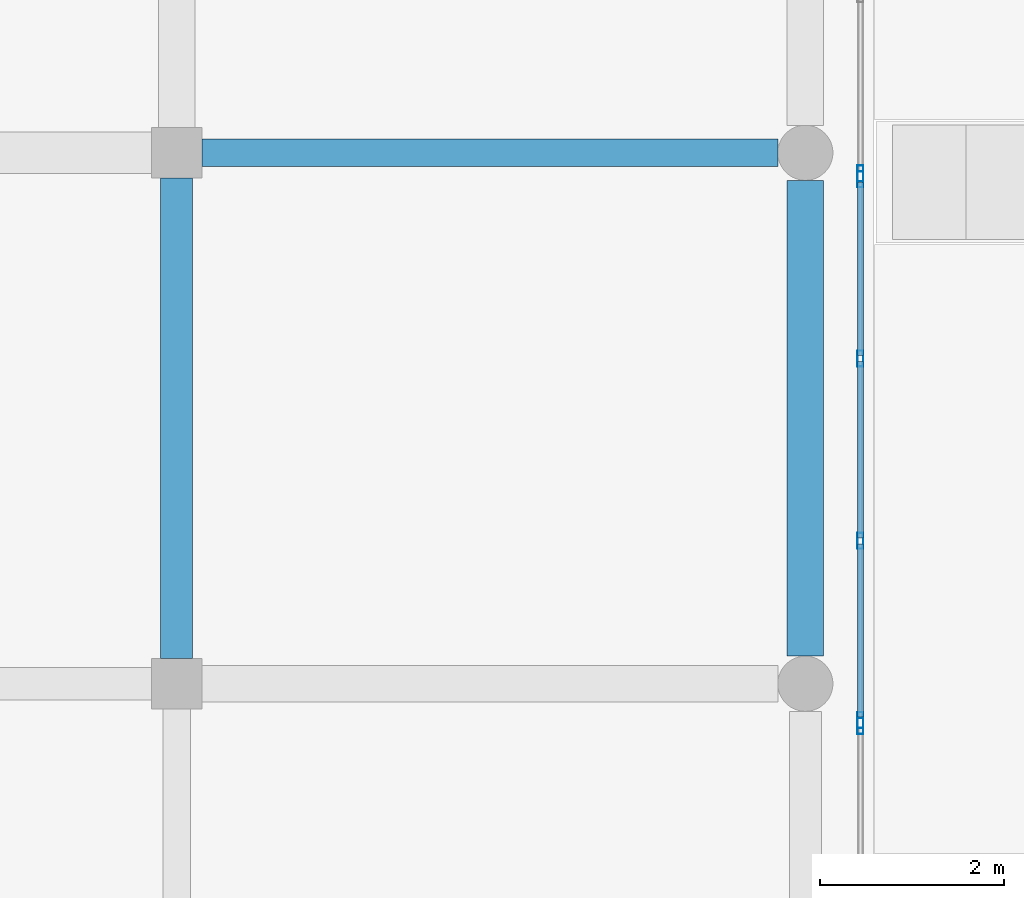
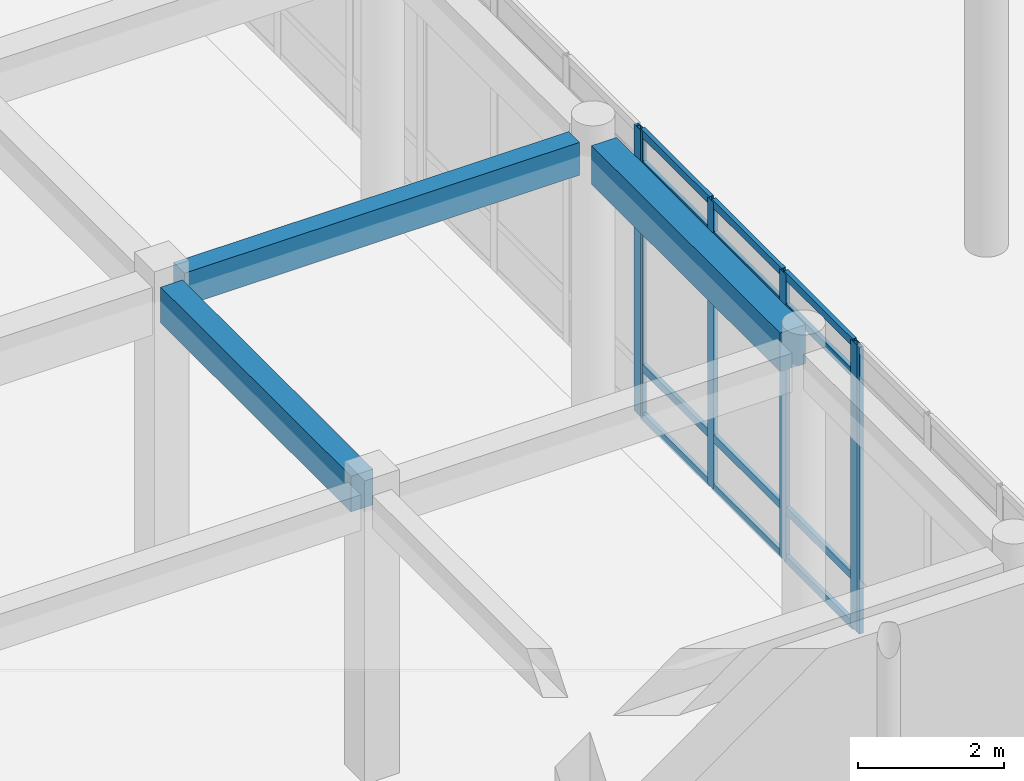
# One storey, part 23 of 121: 18 members, 3 beams, 3 elements without a shape of their own.
"""IFC4 building model written with IfcOpenShell, lengths in metres."""

from ifc_helpers import new_model, si_unit, direction, frame, origin, origin_2d, place, context, subcontext, project, spatial, rectangle, hollow_rectangle, extrude, material, layer, layer_set, material_profile, profile_set, type_object, element, aggregate, save


model = new_model("IFC4")

# Units and contexts
model_context = context("Model", 3, precision=1e-05, world=origin(), true_north=direction((0.0, 1.0)))
body_context = subcontext(model_context, "Body", "Model", "MODEL_VIEW")
ifc_project = project(units=[si_unit("LENGTHUNIT", "METRE"), si_unit("AREAUNIT", "SQUARE_METRE"), si_unit("VOLUMEUNIT", "CUBIC_METRE"), si_unit("PLANEANGLEUNIT", "RADIAN"), si_unit("MASSUNIT", "GRAM", prefix="KILO")], contexts=[model_context])

# Site, building, storey
site_placement = place(None, origin())
site = spatial("IfcSite", under=ifc_project, at=site_placement, CompositionType="ELEMENT")
building_placement = place(site_placement, origin())
building = spatial("IfcBuilding", under=site, at=building_placement, Name="Valcora Specialist Clinic", CompositionType="ELEMENT")
storey_placement = place(building_placement, origin())
storey = spatial("IfcBuildingStorey", under=building, at=storey_placement, Name="L00", CompositionType="ELEMENT", Elevation=0.0)

# Beams
ifc_material_1 = material(Name="Concrete C40/50", Category="concrete")
ifc_material_profile_1 = material_profile(ifc_material_1, rectangle(XDim=0.300048828125, YDim=0.550048828125, at=origin_2d()), Name="RC-BM-300X550")
ifc_profile_set_1 = profile_set([ifc_material_profile_1], Name="Concrete C40/50")
beam_type_1 = type_object("IfcBeamType", Name="TY-BM-RC300X550", PredefinedType="BEAM", material=ifc_profile_set_1)
beam_1_placement = place(storey_placement, frame((22.675048828125, 50.321044921875, 4.534912109375), z_axis=(1.0, 0.0, 0.0), x_axis=(0.0, 1.0, 0.0)))
element("IfcBeam", 1, at=beam_1_placement, inside=storey, type_object=beam_type_1, Name="Beam BM-L00-0079", PredefinedType="BEAM", context=body_context, shape_type="SweptSolid", body=[
    extrude(rectangle(XDim=0.300048828125, YDim=0.550048828125, at=origin_2d()), origin(), (0.0, 0.0, 1.0), 6.27490234375),
])
ifc_material_profile_2 = material_profile(ifc_material_1, rectangle(XDim=0.35009765625, YDim=0.60009765625, at=origin_2d()), Name="RC-BM-350X600")
ifc_profile_set_2 = profile_set([ifc_material_profile_2], Name="Concrete C40/50")
beam_type_2 = type_object("IfcBeamType", Name="TY-BM-RC350X600", PredefinedType="BEAM", material=ifc_profile_set_2)
beam_2_placement = place(storey_placement, frame((22.39990234375, 44.81103515625, 4.510009765625), z_axis=(0.0, 1.0, 0.0), x_axis=(-1.0, 0.0, 0.0)))
element("IfcBeam", 2, at=beam_2_placement, inside=storey, type_object=beam_type_2, Name="Beam BM-L00-0120", PredefinedType="BEAM", context=body_context, shape_type="SweptSolid", body=[
    extrude(rectangle(XDim=0.35009765625, YDim=0.60009765625, at=origin_2d()), origin(), (0.0, 0.0, 1.0), 5.23486328125),
])
ifc_material_profile_3 = material_profile(ifc_material_1, rectangle(XDim=0.39990234375, YDim=0.64990234375, at=origin_2d()), Name="RC-BM-400X650")
ifc_profile_set_3 = profile_set([ifc_material_profile_3], Name="Concrete C40/50")
beam_type_3 = type_object("IfcBeamType", Name="TY-BM-RC400X650", PredefinedType="BEAM", material=ifc_profile_set_3)
beam_3_placement = place(storey_placement, frame((29.25, 44.8359375, 4.485107421875), z_axis=(0.0, 1.0, 0.0), x_axis=(-1.0, 0.0, 0.0)))
element("IfcBeam", 3, at=beam_3_placement, inside=storey, type_object=beam_type_3, Name="Beam BM-L00-0127", PredefinedType="BEAM", context=body_context, shape_type="SweptSolid", body=[
    extrude(rectangle(XDim=0.39990234375, YDim=0.64990234375, at=origin_2d()), origin(), (0.0, 0.0, 1.0), 5.18505859375),
])

# Curtain wall, member
ifc_material_2 = material(Name="Anodized Bronze Aluminium 6063-T6", Category="aluminium")
ifc_layer = layer(ifc_material_2, 0.175048828125)
ifc_layer_set = layer_set([ifc_layer], Name="Anodized Bronze Aluminium 6063-T6")
curtain_wall_type = type_object("IfcCurtainWallType", Name="TY-CW-HAL18", PredefinedType="NOTDEFINED", material=ifc_layer_set)
curtain_wall_1_placement = place(storey_placement, origin())
curtain_wall_1 = element("IfcCurtainWall", 4, at=curtain_wall_1_placement, inside=storey, type_object=curtain_wall_type, Name="Curtain wall CW-L00-005", PredefinedType="NOTDEFINED")
ifc_material_profile_4 = material_profile(ifc_material_2, hollow_rectangle(XDim=0.06494140625, YDim=0.175048828125, WallThickness=0.00390625, at=origin_2d()), Name="AL-MUL-65X175")
ifc_profile_set_4 = profile_set([ifc_material_profile_4], Name="Anodized Bronze Aluminium 6063-T6")
member_type_1 = type_object("IfcMemberType", Name="TY-CWM-65X175", PredefinedType="MULLION", material=ifc_profile_set_4)
member_1_placement = place(storey_placement, frame((29.85009765625, 50.0966796875, 0.0), z_axis=(0.0, 0.0, 1.0), x_axis=(1.0, 0.0, 0.0)))
member_1 = element("IfcMember", 5, at=member_1_placement, type_object=member_type_1, Name="CW-HAL-18 mullion 4", PredefinedType="MULLION", context=body_context, shape_type="SweptSolid", body=[
    extrude(hollow_rectangle(XDim=0.06494140625, YDim=0.175048828125, WallThickness=0.00390625, at=origin_2d()), origin(), (0.0, 0.0, 1.0), 4.81005859375),
])
aggregate(curtain_wall_1, [member_1])

# Curtain wall, members
curtain_wall_2_placement = place(storey_placement, origin())
curtain_wall_2 = element("IfcCurtainWall", 6, at=curtain_wall_2_placement, inside=storey, type_object=curtain_wall_type, Name="Curtain wall CW-L00-006", PredefinedType="NOTDEFINED")
member_2_placement = place(storey_placement, frame((29.85009765625, 50.03173828125, 0.0), z_axis=(0.0, 0.0, 1.0), x_axis=(1.0, 0.0, 0.0)))
member_2 = element("IfcMember", 7, at=member_2_placement, type_object=member_type_1, Name="CW-HAL-18 mullion 1", PredefinedType="MULLION", context=body_context, shape_type="SweptSolid", body=[
    extrude(hollow_rectangle(XDim=0.06494140625, YDim=0.175048828125, WallThickness=0.00390625, at=origin_2d()), origin(), (0.0, 0.0, 1.0), 4.81005859375),
])
member_3_placement = place(storey_placement, frame((29.85009765625, 48.07861328125, 0.0), z_axis=(0.0, 0.0, 1.0), x_axis=(1.0, 0.0, 0.0)))
member_3 = element("IfcMember", 8, at=member_3_placement, type_object=member_type_1, Name="CW-HAL-18 mullion 2", PredefinedType="MULLION", context=body_context, shape_type="SweptSolid", body=[
    extrude(hollow_rectangle(XDim=0.06494140625, YDim=0.175048828125, WallThickness=0.00390625, at=origin_2d()), origin(), (0.0, 0.0, 1.0), 4.81005859375),
])
member_4_placement = place(storey_placement, frame((29.85009765625, 46.0927734375, 0.0), z_axis=(0.0, 0.0, 1.0), x_axis=(1.0, 0.0, 0.0)))
member_4 = element("IfcMember", 9, at=member_4_placement, type_object=member_type_1, Name="CW-HAL-18 mullion 3", PredefinedType="MULLION", context=body_context, shape_type="SweptSolid", body=[
    extrude(hollow_rectangle(XDim=0.06494140625, YDim=0.175048828125, WallThickness=0.00390625, at=origin_2d()), origin(), (0.0, 0.0, 1.0), 4.81005859375),
])
member_5_placement = place(storey_placement, frame((29.85009765625, 44.1396484375, 0.0), z_axis=(0.0, 0.0, 1.0), x_axis=(1.0, 0.0, 0.0)))
member_5 = element("IfcMember", 10, at=member_5_placement, type_object=member_type_1, Name="CW-HAL-18 mullion 4", PredefinedType="MULLION", context=body_context, shape_type="SweptSolid", body=[
    extrude(hollow_rectangle(XDim=0.06494140625, YDim=0.175048828125, WallThickness=0.00390625, at=origin_2d()), origin(), (0.0, 0.0, 1.0), 4.81005859375),
])

# Curtain wall, member
curtain_wall_3_placement = place(storey_placement, origin())
curtain_wall_3 = element("IfcCurtainWall", 11, at=curtain_wall_3_placement, inside=storey, type_object=curtain_wall_type, Name="Curtain wall CW-L00-007", PredefinedType="NOTDEFINED")
member_6_placement = place(storey_placement, frame((29.85009765625, 44.07470703125, 0.0), z_axis=(0.0, 0.0, 1.0), x_axis=(1.0, 0.0, 0.0)))
member_6 = element("IfcMember", 12, at=member_6_placement, type_object=member_type_1, Name="CW-HAL-18 mullion 1", PredefinedType="MULLION", context=body_context, shape_type="SweptSolid", body=[
    extrude(hollow_rectangle(XDim=0.06494140625, YDim=0.175048828125, WallThickness=0.00390625, at=origin_2d()), origin(), (0.0, 0.0, 1.0), 4.81005859375),
])
aggregate(curtain_wall_3, [member_6])

# Member
ifc_material_profile_5 = material_profile(ifc_material_2, hollow_rectangle(XDim=0.06494140625, YDim=0.1298828125, WallThickness=0.00390625, at=origin_2d()), Name="AL-TRN-65X130")
ifc_profile_set_5 = profile_set([ifc_material_profile_5], Name="Anodized Bronze Aluminium 6063-T6")
member_type_2 = type_object("IfcMemberType", Name="TY-CWT-65X130", PredefinedType="USERDEFINED", material=ifc_profile_set_5)
member_7_placement = place(storey_placement, frame((29.85009765625, 49.999267578125, 0.032470703125), z_axis=(0.0, -1.0, 0.0), x_axis=(1.0, 0.0, 0.0)))
member_7 = element("IfcMember", 13, at=member_7_placement, type_object=member_type_2, Name="CW-HAL-18 transom 1.1", ObjectType="TRANSOM", PredefinedType="USERDEFINED", context=body_context, shape_type="SweptSolid", body=[
    extrude(hollow_rectangle(XDim=0.06494140625, YDim=0.1298828125, WallThickness=0.00390625, at=origin_2d()), origin(), (0.0, 0.0, 1.0), 1.88818359375),
])

member_8_placement = place(storey_placement, frame((29.85009765625, 49.999267578125, 0.85009765625), z_axis=(0.0, -1.0, 0.0), x_axis=(1.0, 0.0, 0.0)))
member_8 = element("IfcMember", 14, at=member_8_placement, type_object=member_type_2, Name="CW-HAL-18 transom 1.2", ObjectType="TRANSOM", PredefinedType="USERDEFINED", context=body_context, shape_type="SweptSolid", body=[
    extrude(hollow_rectangle(XDim=0.06494140625, YDim=0.1298828125, WallThickness=0.00390625, at=origin_2d()), origin(), (0.0, 0.0, 1.0), 1.88818359375),
])

member_9_placement = place(storey_placement, frame((29.85009765625, 49.999267578125, 4.260009765625), z_axis=(0.0, -1.0, 0.0), x_axis=(1.0, 0.0, 0.0)))
member_9 = element("IfcMember", 15, at=member_9_placement, type_object=member_type_2, Name="CW-HAL-18 transom 1.3", ObjectType="TRANSOM", PredefinedType="USERDEFINED", context=body_context, shape_type="SweptSolid", body=[
    extrude(hollow_rectangle(XDim=0.06494140625, YDim=0.1298828125, WallThickness=0.00390625, at=origin_2d()), origin(), (0.0, 0.0, 1.0), 1.88818359375),
])

member_10_placement = place(storey_placement, frame((29.85009765625, 49.999267578125, 4.777587890625), z_axis=(0.0, -1.0, 0.0), x_axis=(1.0, 0.0, 0.0)))
member_10 = element("IfcMember", 16, at=member_10_placement, type_object=member_type_2, Name="CW-HAL-18 transom 1.4", ObjectType="TRANSOM", PredefinedType="USERDEFINED", context=body_context, shape_type="SweptSolid", body=[
    extrude(hollow_rectangle(XDim=0.06494140625, YDim=0.1298828125, WallThickness=0.00390625, at=origin_2d()), origin(), (0.0, 0.0, 1.0), 1.88818359375),
])

member_11_placement = place(storey_placement, frame((29.85009765625, 48.046142578125, 0.032470703125), z_axis=(0.0, -1.0, 0.0), x_axis=(1.0, 0.0, 0.0)))
member_11 = element("IfcMember", 17, at=member_11_placement, type_object=member_type_2, Name="CW-HAL-18 transom 2.1", ObjectType="TRANSOM", PredefinedType="USERDEFINED", context=body_context, shape_type="SweptSolid", body=[
    extrude(hollow_rectangle(XDim=0.06494140625, YDim=0.1298828125, WallThickness=0.00390625, at=origin_2d()), origin(), (0.0, 0.0, 1.0), 1.9208984375),
])

member_12_placement = place(storey_placement, frame((29.85009765625, 48.046142578125, 0.85009765625), z_axis=(0.0, -1.0, 0.0), x_axis=(1.0, 0.0, 0.0)))
member_12 = element("IfcMember", 18, at=member_12_placement, type_object=member_type_2, Name="CW-HAL-18 transom 2.2", ObjectType="TRANSOM", PredefinedType="USERDEFINED", context=body_context, shape_type="SweptSolid", body=[
    extrude(hollow_rectangle(XDim=0.06494140625, YDim=0.1298828125, WallThickness=0.00390625, at=origin_2d()), origin(), (0.0, 0.0, 1.0), 1.9208984375),
])

member_13_placement = place(storey_placement, frame((29.85009765625, 48.046142578125, 4.260009765625), z_axis=(0.0, -1.0, 0.0), x_axis=(1.0, 0.0, 0.0)))
member_13 = element("IfcMember", 19, at=member_13_placement, type_object=member_type_2, Name="CW-HAL-18 transom 2.3", ObjectType="TRANSOM", PredefinedType="USERDEFINED", context=body_context, shape_type="SweptSolid", body=[
    extrude(hollow_rectangle(XDim=0.06494140625, YDim=0.1298828125, WallThickness=0.00390625, at=origin_2d()), origin(), (0.0, 0.0, 1.0), 1.9208984375),
])

member_14_placement = place(storey_placement, frame((29.85009765625, 48.046142578125, 4.777587890625), z_axis=(0.0, -1.0, 0.0), x_axis=(1.0, 0.0, 0.0)))
member_14 = element("IfcMember", 20, at=member_14_placement, type_object=member_type_2, Name="CW-HAL-18 transom 2.4", ObjectType="TRANSOM", PredefinedType="USERDEFINED", context=body_context, shape_type="SweptSolid", body=[
    extrude(hollow_rectangle(XDim=0.06494140625, YDim=0.1298828125, WallThickness=0.00390625, at=origin_2d()), origin(), (0.0, 0.0, 1.0), 1.9208984375),
])

member_15_placement = place(storey_placement, frame((29.85009765625, 46.060302734375, 0.032470703125), z_axis=(0.0, -1.0, 0.0), x_axis=(1.0, 0.0, 0.0)))
member_15 = element("IfcMember", 21, at=member_15_placement, type_object=member_type_2, Name="CW-HAL-18 transom 3.1", ObjectType="TRANSOM", PredefinedType="USERDEFINED", context=body_context, shape_type="SweptSolid", body=[
    extrude(hollow_rectangle(XDim=0.06494140625, YDim=0.1298828125, WallThickness=0.00390625, at=origin_2d()), origin(), (0.0, 0.0, 1.0), 1.88818359375),
])

member_16_placement = place(storey_placement, frame((29.85009765625, 46.060302734375, 0.85009765625), z_axis=(0.0, -1.0, 0.0), x_axis=(1.0, 0.0, 0.0)))
member_16 = element("IfcMember", 22, at=member_16_placement, type_object=member_type_2, Name="CW-HAL-18 transom 3.2", ObjectType="TRANSOM", PredefinedType="USERDEFINED", context=body_context, shape_type="SweptSolid", body=[
    extrude(hollow_rectangle(XDim=0.06494140625, YDim=0.1298828125, WallThickness=0.00390625, at=origin_2d()), origin(), (0.0, 0.0, 1.0), 1.88818359375),
])

member_17_placement = place(storey_placement, frame((29.85009765625, 46.060302734375, 4.260009765625), z_axis=(0.0, -1.0, 0.0), x_axis=(1.0, 0.0, 0.0)))
member_17 = element("IfcMember", 23, at=member_17_placement, type_object=member_type_2, Name="CW-HAL-18 transom 3.3", ObjectType="TRANSOM", PredefinedType="USERDEFINED", context=body_context, shape_type="SweptSolid", body=[
    extrude(hollow_rectangle(XDim=0.06494140625, YDim=0.1298828125, WallThickness=0.00390625, at=origin_2d()), origin(), (0.0, 0.0, 1.0), 1.88818359375),
])

member_18_placement = place(storey_placement, frame((29.85009765625, 46.060302734375, 4.777587890625), z_axis=(0.0, -1.0, 0.0), x_axis=(1.0, 0.0, 0.0)))
member_18 = element("IfcMember", 24, at=member_18_placement, type_object=member_type_2, Name="CW-HAL-18 transom 3.4", ObjectType="TRANSOM", PredefinedType="USERDEFINED", context=body_context, shape_type="SweptSolid", body=[
    extrude(hollow_rectangle(XDim=0.06494140625, YDim=0.1298828125, WallThickness=0.00390625, at=origin_2d()), origin(), (0.0, 0.0, 1.0), 1.88818359375),
])

aggregate(curtain_wall_2, [member_2, member_3, member_4, member_5, member_7, member_8, member_9, member_10, member_11, member_12, member_13, member_14, member_15, member_16, member_17, member_18])

save(model, "model.ifc")
